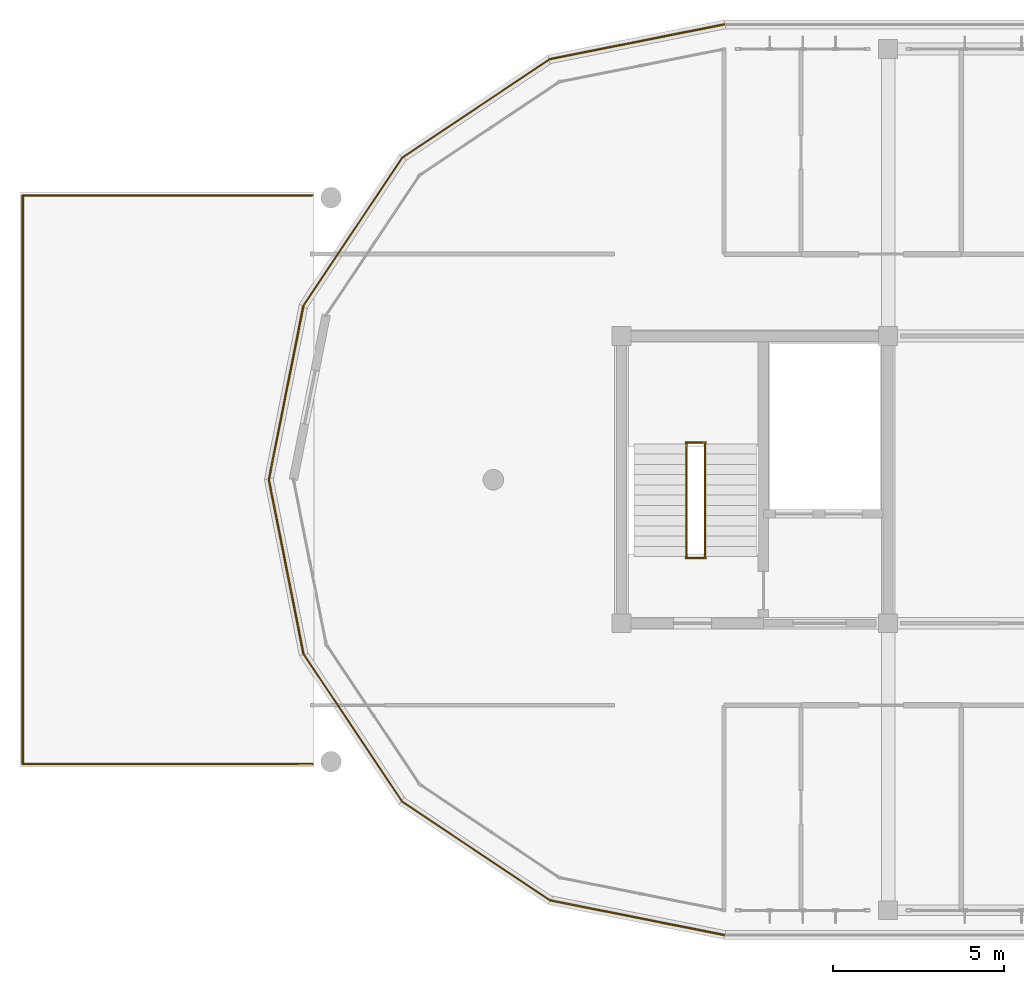
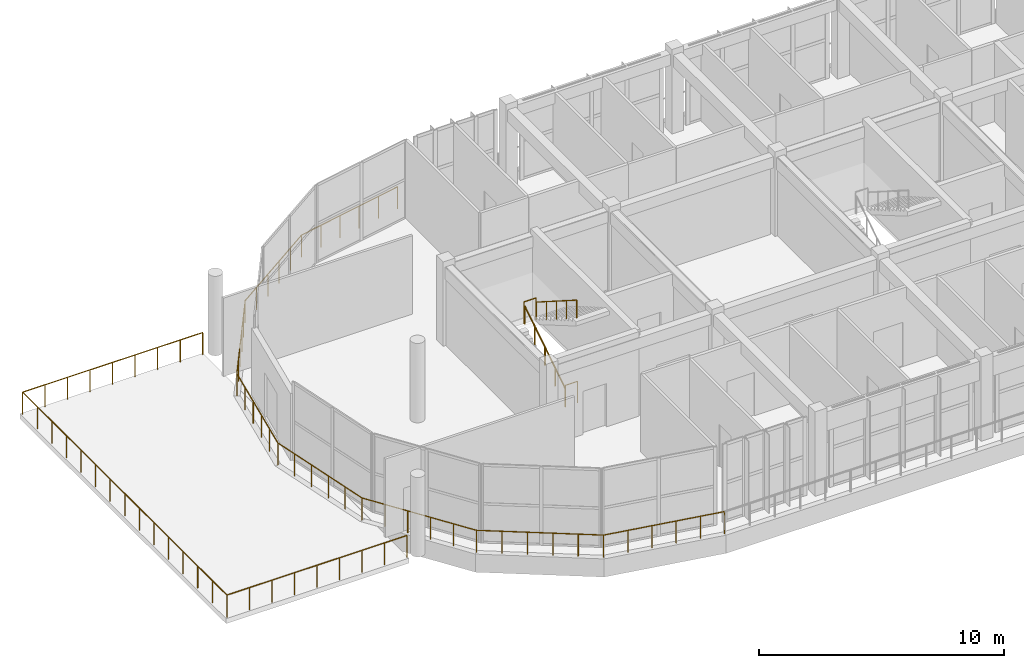
# One storey, part 42 of 44: 15 railings.
"""IFC4 building model written with IfcOpenShell, lengths in metres."""

from ifc_helpers import new_model, si_unit, direction, frame, origin, origin_2d, place, context, subcontext, project, spatial, circle, hollow_circle, extrude, material, material_profile, profile_set, type_object, element, save


model = new_model("IFC4")

# Units and contexts
model_context = context("Model", 3, precision=1e-05, world=origin(), true_north=direction((0.0, 1.0)))
body_context = subcontext(model_context, "Body", "Model", "MODEL_VIEW")
ifc_project = project(units=[si_unit("LENGTHUNIT", "METRE"), si_unit("AREAUNIT", "SQUARE_METRE"), si_unit("VOLUMEUNIT", "CUBIC_METRE"), si_unit("PLANEANGLEUNIT", "RADIAN"), si_unit("MASSUNIT", "GRAM", prefix="KILO")], contexts=[model_context])

# Site, building, storey
site_placement = place(None, origin())
site = spatial("IfcSite", under=ifc_project, at=site_placement, CompositionType="ELEMENT")
building_placement = place(site_placement, origin())
building = spatial("IfcBuilding", under=site, at=building_placement, Name="Zizhar Promenade General Hospital", CompositionType="ELEMENT")
storey_placement = place(building_placement, frame((0.0, 0.0, 34.800048828125)))
storey = spatial("IfcBuildingStorey", under=building, at=storey_placement, Name="L08", CompositionType="ELEMENT", Elevation=34.800048828125)

# Railings
ifc_material_1 = material(Name="Anodised aluminium 6063-T6", Category="aluminium")
ifc_material_profile_1 = material_profile(ifc_material_1, hollow_circle(Radius=0.06982421875, WallThickness=0.00634765625, at=origin_2d()))
ifc_profile_set_1 = profile_set([ifc_material_profile_1], Name="Anodised aluminium 6063-T6")
railing_type_1 = type_object("IfcRailingType", Name="RL-GUARD-TERR-1100", PredefinedType="GUARDRAIL", material=ifc_profile_set_1)
railing_1_placement = place(storey_placement, frame((49.800048828125, 25.919921875, 0.0)))
element("IfcRailing", 1, at=railing_1_placement, inside=storey, type_object=railing_type_1, Name="Perimeter Safety Guardrail L08-10", PredefinedType="GUARDRAIL", context=body_context, shape_type="SweptSolid", body=[
    extrude(circle(Radius=0.02392578125, at=origin_2d()), frame((0.0, 0.0, 1.09619140625), z_axis=(-0.980786101187, -0.195086195614, 0.0), x_axis=(0.195086195614, -0.980786101187, 0.0)), (0.0, 0.0, 1.0), 5.197265625),
    extrude(circle(Radius=0.02099609375, at=origin_2d()), origin(), (0.0, 0.0, 1.0), 1.072021484375),
    extrude(circle(Radius=0.02099609375, at=origin_2d()), frame((-1.01953125, -0.202880859375, 0.0)), (0.0, 0.0, 1.0), 1.072021484375),
    extrude(circle(Radius=0.02099609375, at=origin_2d()), frame((-2.0390625, -0.405517578125, 0.0)), (0.0, 0.0, 1.0), 1.072021484375),
    extrude(circle(Radius=0.02099609375, at=origin_2d()), frame((-3.058349609375, -0.6083984375, 0.0)), (0.0, 0.0, 1.0), 1.072021484375),
    extrude(circle(Radius=0.02099609375, at=origin_2d()), frame((-4.077880859375, -0.81103515625, 0.0)), (0.0, 0.0, 1.0), 1.072021484375),
    extrude(circle(Radius=0.02099609375, at=origin_2d()), frame((-5.097412109375, -1.013916015625, 0.0)), (0.0, 0.0, 1.0), 1.072021484375),
])
railing_2_placement = place(storey_placement, frame((44.70263671875, 24.906005859375, 0.0)))
element("IfcRailing", 2, at=railing_2_placement, inside=storey, type_object=railing_type_1, Name="Perimeter Safety Guardrail L08-11", PredefinedType="GUARDRAIL", context=body_context, shape_type="SweptSolid", body=[
    extrude(circle(Radius=0.02392578125, at=origin_2d()), frame((0.0, 0.0, 1.09619140625), z_axis=(-0.831486145253, -0.555545488913, 0.0), x_axis=(0.555545488913, -0.831486145253, 0.0)), (0.0, 0.0, 1.0), 5.197021484375),
    extrude(circle(Radius=0.02099609375, at=origin_2d()), origin(), (0.0, 0.0, 1.0), 1.072021484375),
    extrude(circle(Radius=0.02099609375, at=origin_2d()), frame((-0.8642578125, -0.577392578125, 0.0)), (0.0, 0.0, 1.0), 1.072021484375),
    extrude(circle(Radius=0.02099609375, at=origin_2d()), frame((-1.728515625, -1.15478515625, 0.0)), (0.0, 0.0, 1.0), 1.072021484375),
    extrude(circle(Radius=0.02099609375, at=origin_2d()), frame((-2.5927734375, -1.732421875, 0.0)), (0.0, 0.0, 1.0), 1.072021484375),
    extrude(circle(Radius=0.02099609375, at=origin_2d()), frame((-3.45703125, -2.309814453125, 0.0)), (0.0, 0.0, 1.0), 1.072021484375),
    extrude(circle(Radius=0.02099609375, at=origin_2d()), frame((-4.3212890625, -2.88720703125, 0.0)), (0.0, 0.0, 1.0), 1.072021484375),
])
railing_3_placement = place(storey_placement, frame((40.38134765625, 22.018798828125, 0.0)))
element("IfcRailing", 3, at=railing_3_placement, inside=storey, type_object=railing_type_1, Name="Perimeter Safety Guardrail L08-12", PredefinedType="GUARDRAIL", context=body_context, shape_type="SweptSolid", body=[
    extrude(circle(Radius=0.02392578125, at=origin_2d()), frame((0.0, 0.0, 1.09619140625), z_axis=(-0.555556266519, -0.83147894425, 0.0), x_axis=(0.83147894425, -0.555556266519, 0.0)), (0.0, 0.0, 1.0), 5.197509765625),
    extrude(circle(Radius=0.02099609375, at=origin_2d()), origin(), (0.0, 0.0, 1.0), 1.072021484375),
    extrude(circle(Radius=0.02099609375, at=origin_2d()), frame((-0.577392578125, -0.8642578125, 0.0)), (0.0, 0.0, 1.0), 1.072021484375),
    extrude(circle(Radius=0.02099609375, at=origin_2d()), frame((-1.155029296875, -1.728515625, 0.0)), (0.0, 0.0, 1.0), 1.072021484375),
    extrude(circle(Radius=0.02099609375, at=origin_2d()), frame((-1.732421875, -2.593017578125, 0.0)), (0.0, 0.0, 1.0), 1.072021484375),
    extrude(circle(Radius=0.02099609375, at=origin_2d()), frame((-2.31005859375, -3.457275390625, 0.0)), (0.0, 0.0, 1.0), 1.072021484375),
    extrude(circle(Radius=0.02099609375, at=origin_2d()), frame((-2.887451171875, -4.321533203125, 0.0)), (0.0, 0.0, 1.0), 1.072021484375),
])
railing_4_placement = place(storey_placement, frame((37.493896484375, 17.697265625, 0.0)))
element("IfcRailing", 4, at=railing_4_placement, inside=storey, type_object=railing_type_1, Name="Perimeter Safety Guardrail L08-13", PredefinedType="GUARDRAIL", context=body_context, shape_type="SweptSolid", body=[
    extrude(circle(Radius=0.02392578125, at=origin_2d()), frame((0.0, 0.0, 1.09619140625), z_axis=(-0.195095184069, -0.980784313268, 0.0), x_axis=(0.980784313268, -0.195095184069, 0.0)), (0.0, 0.0, 1.0), 5.197021484375),
    extrude(circle(Radius=0.02099609375, at=origin_2d()), origin(), (0.0, 0.0, 1.0), 1.072021484375),
    extrude(circle(Radius=0.02099609375, at=origin_2d()), frame((-0.202880859375, -1.01953125, 0.0)), (0.0, 0.0, 1.0), 1.072021484375),
    extrude(circle(Radius=0.02099609375, at=origin_2d()), frame((-0.405517578125, -2.038818359375, 0.0)), (0.0, 0.0, 1.0), 1.072021484375),
    extrude(circle(Radius=0.02099609375, at=origin_2d()), frame((-0.6083984375, -3.058349609375, 0.0)), (0.0, 0.0, 1.0), 1.072021484375),
    extrude(circle(Radius=0.02099609375, at=origin_2d()), frame((-0.81103515625, -4.07763671875, 0.0)), (0.0, 0.0, 1.0), 1.072021484375),
    extrude(circle(Radius=0.02099609375, at=origin_2d()), frame((-1.013916015625, -5.09716796875, 0.0)), (0.0, 0.0, 1.0), 1.072021484375),
])
railing_5_placement = place(storey_placement, frame((36.47998046875, 12.60009765625, 0.0)))
element("IfcRailing", 5, at=railing_5_placement, inside=storey, type_object=railing_type_1, Name="Perimeter Safety Guardrail L08-14", PredefinedType="GUARDRAIL", context=body_context, shape_type="SweptSolid", body=[
    extrude(circle(Radius=0.02392578125, at=origin_2d()), frame((0.0, 0.0, 1.09619140625), z_axis=(0.195086195614, -0.980786101187, 0.0), x_axis=(0.980786101187, 0.195086195614, 0.0)), (0.0, 0.0, 1.0), 5.197265625),
    extrude(circle(Radius=0.02099609375, at=origin_2d()), origin(), (0.0, 0.0, 1.0), 1.072021484375),
    extrude(circle(Radius=0.02099609375, at=origin_2d()), frame((0.202880859375, -1.01953125, 0.0)), (0.0, 0.0, 1.0), 1.072021484375),
    extrude(circle(Radius=0.02099609375, at=origin_2d()), frame((0.405517578125, -2.0390625, 0.0)), (0.0, 0.0, 1.0), 1.072021484375),
    extrude(circle(Radius=0.02099609375, at=origin_2d()), frame((0.6083984375, -3.058349609375, 0.0)), (0.0, 0.0, 1.0), 1.072021484375),
    extrude(circle(Radius=0.02099609375, at=origin_2d()), frame((0.81103515625, -4.077880859375, 0.0)), (0.0, 0.0, 1.0), 1.072021484375),
    extrude(circle(Radius=0.02099609375, at=origin_2d()), frame((1.013916015625, -5.097412109375, 0.0)), (0.0, 0.0, 1.0), 1.072021484375),
])
railing_6_placement = place(storey_placement, frame((37.493896484375, 7.502685546875, 0.0)))
element("IfcRailing", 6, at=railing_6_placement, inside=storey, type_object=railing_type_1, Name="Perimeter Safety Guardrail L08-15", PredefinedType="GUARDRAIL", context=body_context, shape_type="SweptSolid", body=[
    extrude(circle(Radius=0.02392578125, at=origin_2d()), frame((0.0, 0.0, 1.09619140625), z_axis=(0.555577965829, -0.831464445352, 0.0), x_axis=(0.831464445352, 0.555577965829, 0.0)), (0.0, 0.0, 1.0), 5.197265625),
    extrude(circle(Radius=0.02099609375, at=origin_2d()), origin(), (0.0, 0.0, 1.0), 1.072021484375),
    extrude(circle(Radius=0.02099609375, at=origin_2d()), frame((0.577392578125, -0.8642578125, 0.0)), (0.0, 0.0, 1.0), 1.072021484375),
    extrude(circle(Radius=0.02099609375, at=origin_2d()), frame((1.155029296875, -1.728515625, 0.0)), (0.0, 0.0, 1.0), 1.072021484375),
    extrude(circle(Radius=0.02099609375, at=origin_2d()), frame((1.732421875, -2.5927734375, 0.0)), (0.0, 0.0, 1.0), 1.072021484375),
    extrude(circle(Radius=0.02099609375, at=origin_2d()), frame((2.31005859375, -3.45703125, 0.0)), (0.0, 0.0, 1.0), 1.072021484375),
    extrude(circle(Radius=0.02099609375, at=origin_2d()), frame((2.887451171875, -4.3212890625, 0.0)), (0.0, 0.0, 1.0), 1.072021484375),
])
railing_7_placement = place(storey_placement, frame((40.38134765625, 3.181396484375, 0.0)))
element("IfcRailing", 7, at=railing_7_placement, inside=storey, type_object=railing_type_1, Name="Perimeter Safety Guardrail L08-16", PredefinedType="GUARDRAIL", context=body_context, shape_type="SweptSolid", body=[
    extrude(circle(Radius=0.02392578125, at=origin_2d()), frame((0.0, 0.0, 1.09619140625), z_axis=(0.831464445352, -0.555577965829, 0.0), x_axis=(0.555577965829, 0.831464445352, 0.0)), (0.0, 0.0, 1.0), 5.197265625),
    extrude(circle(Radius=0.02099609375, at=origin_2d()), origin(), (0.0, 0.0, 1.0), 1.072021484375),
    extrude(circle(Radius=0.02099609375, at=origin_2d()), frame((0.8642578125, -0.577392578125, 0.0)), (0.0, 0.0, 1.0), 1.072021484375),
    extrude(circle(Radius=0.02099609375, at=origin_2d()), frame((1.728515625, -1.155029296875, 0.0)), (0.0, 0.0, 1.0), 1.072021484375),
    extrude(circle(Radius=0.02099609375, at=origin_2d()), frame((2.5927734375, -1.732421875, 0.0)), (0.0, 0.0, 1.0), 1.072021484375),
    extrude(circle(Radius=0.02099609375, at=origin_2d()), frame((3.45703125, -2.31005859375, 0.0)), (0.0, 0.0, 1.0), 1.072021484375),
    extrude(circle(Radius=0.02099609375, at=origin_2d()), frame((4.3212890625, -2.887451171875, 0.0)), (0.0, 0.0, 1.0), 1.072021484375),
])
railing_8_placement = place(storey_placement, frame((44.70263671875, 0.2939453125, 0.0)))
element("IfcRailing", 8, at=railing_8_placement, inside=storey, type_object=railing_type_1, Name="Perimeter Safety Guardrail L08-17", PredefinedType="GUARDRAIL", context=body_context, shape_type="SweptSolid", body=[
    extrude(circle(Radius=0.02392578125, at=origin_2d()), frame((0.0, 0.0, 1.09619140625), z_axis=(0.980786101187, -0.195086195614, 0.0), x_axis=(0.195086195614, 0.980786101187, 0.0)), (0.0, 0.0, 1.0), 5.197265625),
    extrude(circle(Radius=0.02099609375, at=origin_2d()), origin(), (0.0, 0.0, 1.0), 1.072021484375),
    extrude(circle(Radius=0.02099609375, at=origin_2d()), frame((1.01953125, -0.202880859375, 0.0)), (0.0, 0.0, 1.0), 1.072021484375),
    extrude(circle(Radius=0.02099609375, at=origin_2d()), frame((2.0390625, -0.405517578125, 0.0)), (0.0, 0.0, 1.0), 1.072021484375),
    extrude(circle(Radius=0.02099609375, at=origin_2d()), frame((3.058349609375, -0.6083984375, 0.0)), (0.0, 0.0, 1.0), 1.072021484375),
    extrude(circle(Radius=0.02099609375, at=origin_2d()), frame((4.077880859375, -0.81103515625, 0.0)), (0.0, 0.0, 1.0), 1.072021484375),
    extrude(circle(Radius=0.02099609375, at=origin_2d()), frame((5.097412109375, -1.013916015625, 0.0)), (0.0, 0.0, 1.0), 1.072021484375),
])
railing_9_placement = place(storey_placement, frame((37.75, 4.280029296875, 0.0)))
element("IfcRailing", 9, at=railing_9_placement, inside=storey, type_object=railing_type_1, Name="Perimeter Safety Guardrail L08-01", PredefinedType="GUARDRAIL", context=body_context, shape_type="SweptSolid", body=[
    extrude(circle(Radius=0.02392578125, at=origin_2d()), frame((0.0, 0.0, 1.09619140625), z_axis=(-1.0, 0.0, 0.0), x_axis=(0.0, -1.0, 0.0)), (0.0, 0.0, 1.0), 8.469970703125),
    extrude(circle(Radius=0.02099609375, at=origin_2d()), origin(), (0.0, 0.0, 1.0), 1.072021484375),
    extrude(circle(Radius=0.02099609375, at=origin_2d()), frame((-1.058837890625, 0.0, 0.0)), (0.0, 0.0, 1.0), 1.072021484375),
    extrude(circle(Radius=0.02099609375, at=origin_2d()), frame((-2.117431640625, 0.0, 0.0)), (0.0, 0.0, 1.0), 1.072021484375),
    extrude(circle(Radius=0.02099609375, at=origin_2d()), frame((-3.17626953125, 0.0, 0.0)), (0.0, 0.0, 1.0), 1.072021484375),
    extrude(circle(Radius=0.02099609375, at=origin_2d()), frame((-4.23486328125, 0.0, 0.0)), (0.0, 0.0, 1.0), 1.072021484375),
    extrude(circle(Radius=0.02099609375, at=origin_2d()), frame((-5.293701171875, 0.0, 0.0)), (0.0, 0.0, 1.0), 1.072021484375),
    extrude(circle(Radius=0.02099609375, at=origin_2d()), frame((-6.3525390625, 0.0, 0.0)), (0.0, 0.0, 1.0), 1.072021484375),
    extrude(circle(Radius=0.02099609375, at=origin_2d()), frame((-7.4111328125, 0.0, 0.0)), (0.0, 0.0, 1.0), 1.072021484375),
    extrude(circle(Radius=0.02099609375, at=origin_2d()), frame((-8.469970703125, 0.0, 0.0)), (0.0, 0.0, 1.0), 1.072021484375),
])
railing_10_placement = place(storey_placement, frame((29.280029296875, 4.280029296875, 0.0)))
element("IfcRailing", 10, at=railing_10_placement, inside=storey, type_object=railing_type_1, Name="Perimeter Safety Guardrail L08-02", PredefinedType="GUARDRAIL", context=body_context, shape_type="SweptSolid", body=[
    extrude(circle(Radius=0.02392578125, at=origin_2d()), frame((0.0, 0.0, 1.09619140625), z_axis=(0.0, 1.0, 0.0), x_axis=(-1.0, 0.0, 0.0)), (0.0, 0.0, 1.0), 16.639892578125),
    extrude(circle(Radius=0.02099609375, at=origin_2d()), origin(), (0.0, 0.0, 1.0), 1.072021484375),
    extrude(circle(Radius=0.02099609375, at=origin_2d()), frame((0.0, 1.1884765625, 0.0)), (0.0, 0.0, 1.0), 1.072021484375),
    extrude(circle(Radius=0.02099609375, at=origin_2d()), frame((0.0, 2.377197265625, 0.0)), (0.0, 0.0, 1.0), 1.072021484375),
    extrude(circle(Radius=0.02099609375, at=origin_2d()), frame((0.0, 3.565673828125, 0.0)), (0.0, 0.0, 1.0), 1.072021484375),
    extrude(circle(Radius=0.02099609375, at=origin_2d()), frame((0.0, 4.754150390625, 0.0)), (0.0, 0.0, 1.0), 1.072021484375),
    extrude(circle(Radius=0.02099609375, at=origin_2d()), frame((0.0, 5.94287109375, 0.0)), (0.0, 0.0, 1.0), 1.072021484375),
    extrude(circle(Radius=0.02099609375, at=origin_2d()), frame((0.0, 7.13134765625, 0.0)), (0.0, 0.0, 1.0), 1.072021484375),
    extrude(circle(Radius=0.02099609375, at=origin_2d()), frame((0.0, 8.31982421875, 0.0)), (0.0, 0.0, 1.0), 1.072021484375),
    extrude(circle(Radius=0.02099609375, at=origin_2d()), frame((0.0, 9.508544921875, 0.0)), (0.0, 0.0, 1.0), 1.072021484375),
    extrude(circle(Radius=0.02099609375, at=origin_2d()), frame((0.0, 10.697021484375, 0.0)), (0.0, 0.0, 1.0), 1.072021484375),
    extrude(circle(Radius=0.02099609375, at=origin_2d()), frame((0.0, 11.8857421875, 0.0)), (0.0, 0.0, 1.0), 1.072021484375),
    extrude(circle(Radius=0.02099609375, at=origin_2d()), frame((0.0, 13.07421875, 0.0)), (0.0, 0.0, 1.0), 1.072021484375),
    extrude(circle(Radius=0.02099609375, at=origin_2d()), frame((0.0, 14.2626953125, 0.0)), (0.0, 0.0, 1.0), 1.072021484375),
    extrude(circle(Radius=0.02099609375, at=origin_2d()), frame((0.0, 15.451416015625, 0.0)), (0.0, 0.0, 1.0), 1.072021484375),
    extrude(circle(Radius=0.02099609375, at=origin_2d()), frame((0.0, 16.639892578125, 0.0)), (0.0, 0.0, 1.0), 1.072021484375),
])
railing_11_placement = place(storey_placement, frame((29.280029296875, 20.919921875, 0.0)))
element("IfcRailing", 11, at=railing_11_placement, inside=storey, type_object=railing_type_1, Name="Perimeter Safety Guardrail L08-03", PredefinedType="GUARDRAIL", context=body_context, shape_type="SweptSolid", body=[
    extrude(circle(Radius=0.02392578125, at=origin_2d()), frame((0.0, 0.0, 1.09619140625), z_axis=(1.0, 0.0, 0.0), x_axis=(0.0, 1.0, 0.0)), (0.0, 0.0, 1.0), 8.469970703125),
    extrude(circle(Radius=0.02099609375, at=origin_2d()), origin(), (0.0, 0.0, 1.0), 1.072021484375),
    extrude(circle(Radius=0.02099609375, at=origin_2d()), frame((1.058837890625, 0.0, 0.0)), (0.0, 0.0, 1.0), 1.072021484375),
    extrude(circle(Radius=0.02099609375, at=origin_2d()), frame((2.117431640625, 0.0, 0.0)), (0.0, 0.0, 1.0), 1.072021484375),
    extrude(circle(Radius=0.02099609375, at=origin_2d()), frame((3.17626953125, 0.0, 0.0)), (0.0, 0.0, 1.0), 1.072021484375),
    extrude(circle(Radius=0.02099609375, at=origin_2d()), frame((4.23486328125, 0.0, 0.0)), (0.0, 0.0, 1.0), 1.072021484375),
    extrude(circle(Radius=0.02099609375, at=origin_2d()), frame((5.293701171875, 0.0, 0.0)), (0.0, 0.0, 1.0), 1.072021484375),
    extrude(circle(Radius=0.02099609375, at=origin_2d()), frame((6.3525390625, 0.0, 0.0)), (0.0, 0.0, 1.0), 1.072021484375),
    extrude(circle(Radius=0.02099609375, at=origin_2d()), frame((7.4111328125, 0.0, 0.0)), (0.0, 0.0, 1.0), 1.072021484375),
    extrude(circle(Radius=0.02099609375, at=origin_2d()), frame((8.469970703125, 0.0, 0.0)), (0.0, 0.0, 1.0), 1.072021484375),
])
ifc_material_2 = material(Name="Anodised aluminium 6063-T6", Category="aluminium")
ifc_material_profile_2 = material_profile(ifc_material_2, hollow_circle(Radius=0.06982421875, WallThickness=0.00634765625, at=origin_2d()))
ifc_profile_set_2 = profile_set([ifc_material_profile_2], Name="Anodised aluminium 6063-T6")
railing_type_2 = type_object("IfcRailingType", Name="RL-HANDRAIL-920", PredefinedType="HANDRAIL", material=ifc_profile_set_2)
railing_12_placement = place(storey_placement, frame((48.699951171875, 10.35009765625, 0.0)))
element("IfcRailing", 12, at=railing_12_placement, inside=storey, type_object=railing_type_2, Name="Stair ST-02 Flight 1 Handrail (L08)", PredefinedType="HANDRAIL", context=body_context, shape_type="SweptSolid", body=[
    extrude(circle(Radius=0.02392578125, at=origin_2d()), frame((0.0, 0.0, 0.89599609375), z_axis=(0.0, 0.843664057944, 0.536871453268), x_axis=(-1.0, 0.0, 0.0)), (0.0, 0.0, 1.0), 3.911376953125),
    extrude(circle(Radius=0.02099609375, at=origin_2d()), origin(), (0.0, 0.0, 1.0), 0.871826171875),
    extrude(circle(Radius=0.02099609375, at=origin_2d()), frame((0.0, 0.824951171875, 0.52490234375)), (0.0, 0.0, 1.0), 0.871826171875),
    extrude(circle(Radius=0.02099609375, at=origin_2d()), frame((0.0, 1.64990234375, 1.0498046875)), (0.0, 0.0, 1.0), 0.871826171875),
    extrude(circle(Radius=0.02099609375, at=origin_2d()), frame((0.0, 2.474853515625, 1.574951171875)), (0.0, 0.0, 1.0), 0.871826171875),
    extrude(circle(Radius=0.02099609375, at=origin_2d()), frame((0.0, 3.2998046875, 2.099853515625)), (0.0, 0.0, 1.0), 0.871826171875),
])
railing_13_placement = place(storey_placement, frame((49.239990234375, 13.64990234375, 2.099853515625)))
element("IfcRailing", 13, at=railing_13_placement, inside=storey, type_object=railing_type_2, Name="Stair ST-02 Flight 2 Handrail (L08)", PredefinedType="HANDRAIL", context=body_context, shape_type="SweptSolid", body=[
    extrude(circle(Radius=0.02392578125, at=origin_2d()), frame((0.0, 0.0, 0.89599609375), z_axis=(0.0, -0.843635785416, 0.536915879413), x_axis=(1.0, 0.0, 0.0)), (0.0, 0.0, 1.0), 3.911376953125),
    extrude(circle(Radius=0.02099609375, at=origin_2d()), origin(), (0.0, 0.0, 1.0), 0.871826171875),
    extrude(circle(Radius=0.02099609375, at=origin_2d()), frame((0.0, -0.824951171875, 0.52490234375)), (0.0, 0.0, 1.0), 0.871826171875),
    extrude(circle(Radius=0.02099609375, at=origin_2d()), frame((0.0, -1.64990234375, 1.050048828125)), (0.0, 0.0, 1.0), 0.871826171875),
    extrude(circle(Radius=0.02099609375, at=origin_2d()), frame((0.0, -2.474853515625, 1.5751953125)), (0.0, 0.0, 1.0), 0.871826171875),
    extrude(circle(Radius=0.02099609375, at=origin_2d()), frame((0.0, -3.2998046875, 2.10009765625)), (0.0, 0.0, 1.0), 0.871826171875),
])
ifc_material_3 = material(Name="Steel S355", Category="steel")
ifc_material_profile_3 = material_profile(ifc_material_3, hollow_circle(Radius=0.06982421875, WallThickness=0.00634765625, at=origin_2d()))
ifc_profile_set_3 = profile_set([ifc_material_profile_3], Name="Steel S355")
railing_type_3 = type_object("IfcRailingType", Name="RL-STAIR-GUARD-1100", PredefinedType="GUARDRAIL", material=ifc_profile_set_3)
for number, where, name in (
    (14, (48.679931640625, 13.68994140625, 2.099853515625), "Stair ST-02 Half-Landing Guard (L08)"),
    (15, (48.679931640625, 10.31005859375, 0.0), "Stair ST-02 Landing Well Guard (L08)"),
):
    element("IfcRailing", number, at=place(storey_placement, frame(where)), inside=storey, type_object=railing_type_3, Name=name, PredefinedType="GUARDRAIL", context=body_context, shape_type="SweptSolid", body=[
        extrude(circle(Radius=0.02392578125, at=origin_2d()), frame((0.0, 0.0, 1.076171875), z_axis=(1.0, 0.0, 0.0), x_axis=(0.0, 1.0, 0.0)), (0.0, 0.0, 1.0), 0.580078125),
        extrude(circle(Radius=0.02099609375, at=origin_2d()), origin(), (0.0, 0.0, 1.0), 1.052001953125),
        extrude(circle(Radius=0.02099609375, at=origin_2d()), frame((0.580078125, 0.0, 0.0)), (0.0, 0.0, 1.0), 1.052001953125),
    ])

save(model, "model.ifc")
